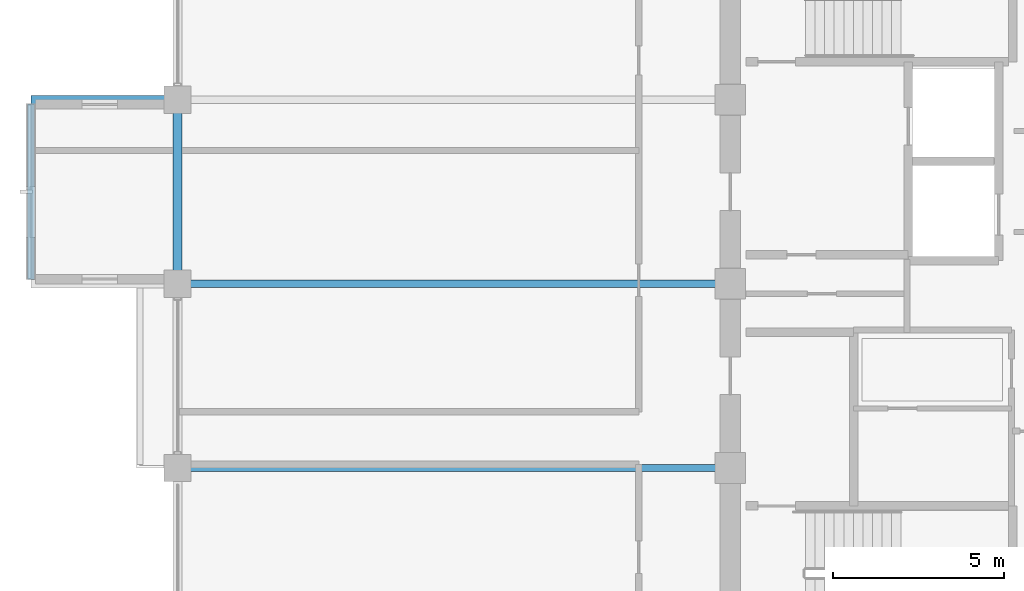
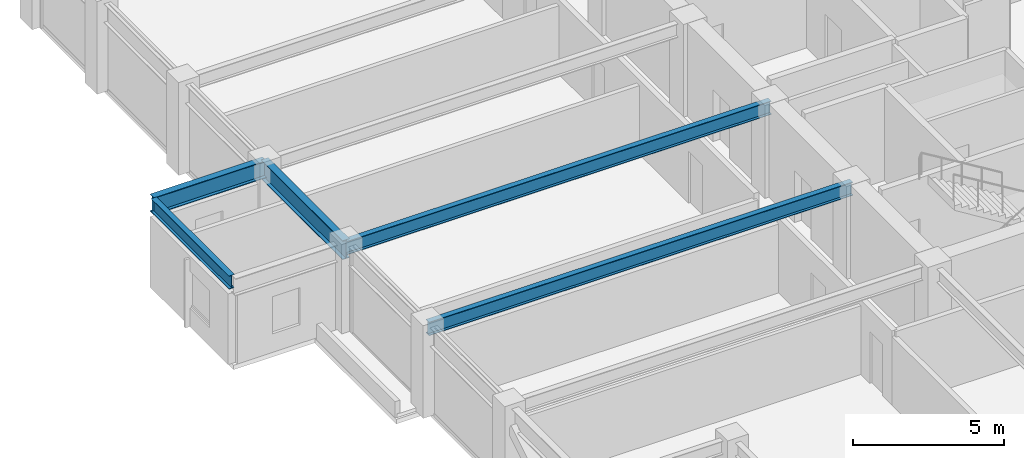
# One storey, part 6 of 28: 5 beams.
"""IFC4 building model written with IfcOpenShell, lengths in metres."""

from ifc_helpers import new_model, si_unit, direction, frame, origin, origin_2d, place, context, subcontext, project, spatial, i_section, extrude, material, material_profile, profile_set, type_object, element, save


model = new_model("IFC4")

# Units and contexts
model_context = context("Model", 3, precision=1e-05, world=origin(), true_north=direction((0.0, 1.0)))
body_context = subcontext(model_context, "Body", "Model", "MODEL_VIEW")
ifc_project = project(units=[si_unit("LENGTHUNIT", "METRE"), si_unit("AREAUNIT", "SQUARE_METRE"), si_unit("VOLUMEUNIT", "CUBIC_METRE"), si_unit("PLANEANGLEUNIT", "RADIAN"), si_unit("MASSUNIT", "GRAM", prefix="KILO")], contexts=[model_context])

# Site, building, storey
site_placement = place(None, origin())
site = spatial("IfcSite", under=ifc_project, at=site_placement, CompositionType="ELEMENT")
building_placement = place(site_placement, origin())
building = spatial("IfcBuilding", under=site, at=building_placement, Name="Surkhivell Harbour Commons", CompositionType="ELEMENT")
storey_placement = place(building_placement, frame((0.0, 0.0, 238.5)))
storey = spatial("IfcBuildingStorey", under=building, at=storey_placement, Name="L62", CompositionType="ELEMENT", Elevation=238.5)

# Beams
ifc_material_1 = material(Name="Steel S460", Category="steel")
ifc_material_profile_1 = material_profile(ifc_material_1, i_section(OverallWidth=0.256103515625, OverallDepth=0.693115234375, WebThickness=0.014404296875, FlangeThickness=0.023681640625, at=origin_2d()), Name="UB686x254x170")
ifc_profile_set_1 = profile_set([ifc_material_profile_1], Name="Steel S460")
beam_type_1 = type_object("IfcBeamType", Name="BM-CNT-686", PredefinedType="BEAM", material=ifc_profile_set_1)
beam_1_placement = place(storey_placement, frame((-27.0, 5.39990234375, 3.223388671875), z_axis=(-1.0, 0.0, 0.0), x_axis=(0.0, -1.0, 0.0)))
element("IfcBeam", 1, at=beam_1_placement, inside=storey, type_object=beam_type_1, Name="L62 Box Cantilever Outrigger (-27.0,5.4)", PredefinedType="BEAM", context=body_context, shape_type="SweptSolid", body=[
    extrude(i_section(OverallWidth=0.256103515625, OverallDepth=0.693115234375, WebThickness=0.014404296875, FlangeThickness=0.023681640625, at=origin_2d()), origin(), (0.0, 0.0, 1.0), 4.300048828125),
])
ifc_material_2 = material(Name="Steel S355", Category="steel")
ifc_material_profile_2 = material_profile(ifc_material_2, i_section(OverallWidth=0.2119140625, OverallDepth=0.5439453125, WebThickness=0.0126953125, FlangeThickness=0.021240234375, at=origin_2d()), Name="UB533x210x122")
ifc_profile_set_2 = profile_set([ifc_material_profile_2], Name="Steel S355")
beam_type_2 = type_object("IfcBeamType", Name="BM-GRD-533A", PredefinedType="BEAM", material=ifc_profile_set_2)
for number, where, z_axis, x_axis, name in (
    (2, (-27.0, 0.0, 3.298095703125), (1.0, 0.0, 0.0), (0.0, 1.0, 0.0), "L62 Cantilever Back-Span Girder (-27.0,0.0)"),
    (3, (-27.0, -5.39990234375, 3.298095703125), (1.0, 0.0, 0.0), (0.0, 1.0, 0.0), "L62 Floor Girder (-27.0,-5.4)"),
):
    element("IfcBeam", number, at=place(storey_placement, frame(where, z_axis=z_axis, x_axis=x_axis)), inside=storey, type_object=beam_type_2, Name=name, PredefinedType="BEAM", context=body_context, shape_type="SweptSolid", body=[
        extrude(i_section(OverallWidth=0.2119140625, OverallDepth=0.5439453125, WebThickness=0.0126953125, FlangeThickness=0.021240234375, at=origin_2d()), origin(), (0.0, 0.0, 1.0), 16.199951171875),
    ])
ifc_material_profile_3 = material_profile(ifc_material_2, i_section(OverallWidth=0.2099609375, OverallDepth=0.537109375, WebThickness=0.0107421875, FlangeThickness=0.017333984375, at=origin_2d()), Name="UB533x210x101")
ifc_profile_set_3 = profile_set([ifc_material_profile_3], Name="Steel S355")
beam_type_3 = type_object("IfcBeamType", Name="BM-GRD-533B", PredefinedType="BEAM", material=ifc_profile_set_3)
beam_2_placement = place(storey_placement, frame((-31.300048828125, 0.1220703125, 3.301513671875), z_axis=(0.0, 1.0, 0.0), x_axis=(-1.0, 0.0, 0.0)))
element("IfcBeam", 4, at=beam_2_placement, inside=storey, type_object=beam_type_3, Name="L62 Box Rim Spandrel (-31.3,0.0)", PredefinedType="BEAM", context=body_context, shape_type="SweptSolid", body=[
    extrude(i_section(OverallWidth=0.2099609375, OverallDepth=0.537109375, WebThickness=0.0107421875, FlangeThickness=0.017333984375, at=origin_2d()), origin(), (0.0, 0.0, 1.0), 5.156005859375),
])
ifc_material_profile_4 = material_profile(ifc_material_2, i_section(OverallWidth=0.26806640625, OverallDepth=0.77001953125, WebThickness=0.015625, FlangeThickness=0.025390625, at=origin_2d()), Name="UB762x267x197")
ifc_profile_set_4 = profile_set([ifc_material_profile_4], Name="Steel S355")
beam_type_4 = type_object("IfcBeamType", Name="BM-SPN-762", PredefinedType="SPANDREL", material=ifc_profile_set_4)
beam_3_placement = place(storey_placement, frame((-27.0, 0.0, 3.18505859375), z_axis=(0.0, 1.0, 0.0), x_axis=(-1.0, 0.0, 0.0)))
element("IfcBeam", 5, at=beam_3_placement, inside=storey, type_object=beam_type_4, Name="L62 Tube Spandrel (-27.0,0.0)", PredefinedType="SPANDREL", context=body_context, shape_type="SweptSolid", body=[
    extrude(i_section(OverallWidth=0.26806640625, OverallDepth=0.77001953125, WebThickness=0.015625, FlangeThickness=0.025390625, at=origin_2d()), origin(), (0.0, 0.0, 1.0), 5.39990234375),
])

save(model, "model.ifc")
